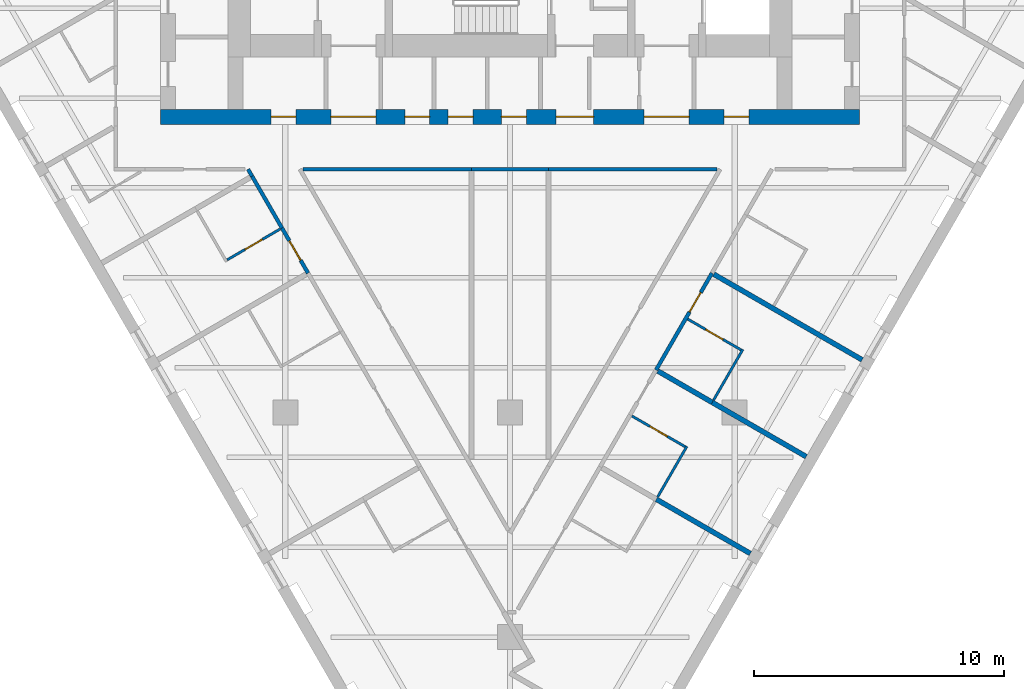
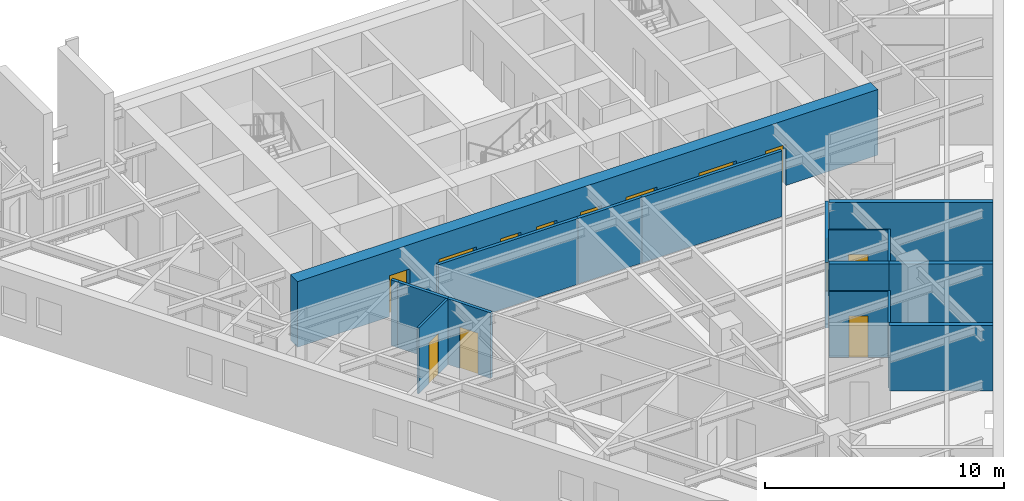
# One storey, part 4 of 10: 17 walls, 13 doors, 13 openings.
"""IFC4 building model written with IfcOpenShell, lengths in metres."""

from ifc_helpers import new_model, si_unit, direction, frame, frame_2d, origin, place, context, subcontext, project, spatial, rectangle, extrude, material, layer, layer_set, type_object, element, fill, save


model = new_model("IFC4")

# Units and contexts
model_context = context("Model", 3, precision=1e-05, world=origin(), true_north=direction((0.0, 1.0)))
body_context = subcontext(model_context, "Body", "Model", "MODEL_VIEW")
ifc_project = project(units=[si_unit("LENGTHUNIT", "METRE"), si_unit("AREAUNIT", "SQUARE_METRE"), si_unit("VOLUMEUNIT", "CUBIC_METRE"), si_unit("PLANEANGLEUNIT", "RADIAN"), si_unit("MASSUNIT", "GRAM", prefix="KILO")], contexts=[model_context])

# Site, building, storey
site_placement = place(None, origin())
site = spatial("IfcSite", under=ifc_project, at=site_placement, CompositionType="ELEMENT")
building_placement = place(site_placement, origin())
building = spatial("IfcBuilding", under=site, at=building_placement, Name="Aloe Facet Convention Tower", CompositionType="ELEMENT")
storey_placement = place(building_placement, frame((0.0, 0.0, 45.5)))
storey = spatial("IfcBuildingStorey", under=building, at=storey_placement, Name="L09", CompositionType="ELEMENT", Elevation=45.5)

# Wall, openings, doors
ifc_material_1 = material(Name="Concrete C80/95", Category="concrete")
ifc_layer_1 = layer(ifc_material_1, 0.60009765625)
ifc_layer_set_1 = layer_set([ifc_layer_1], Name="CR-W-RC600-C8095")
wall_type_1 = type_object("IfcWallType", Name="CR-W-RC600-C8095", PredefinedType="SOLIDWALL", material=ifc_layer_set_1)
wall_1_placement = place(storey_placement, frame((66.0, 119.85009765625, 0.0), z_axis=(0.0, 0.0, 1.0), x_axis=(1.0, 0.0, 0.0)))
wall_1 = element("IfcWall", 1, at=wall_1_placement, inside=storey, type_object=wall_type_1, Name="Core wall L09-003", PredefinedType="SOLIDWALL", context=body_context, shape_type="SweptSolid", body=[
    extrude(rectangle(XDim=28.0, YDim=0.60009765625, at=frame_2d((14.0, 0.0))), origin(), (0.0, 0.0, 1.0), 3.35009765625),
])
opening_1_placement = place(wall_1_placement, frame((6.824951171875, 0.0, 0.0)))
opening_1 = element("IfcOpeningElement", 2, at=opening_1_placement, cuts=wall_1, Name="Opening L09-CD16", PredefinedType="OPENING", context=body_context, shape_type="SweptSolid", body=[
    extrude(rectangle(XDim=1.800048828125, YDim=2.10009765625, at=frame_2d((0.89990234375, 1.050048828125))), frame((0.0, 0.31005859375, 0.0), z_axis=(0.0, -1.0, 0.0), x_axis=(1.0, 0.0, 0.0)), (0.0, 0.0, 1.0), 0.6201171875),
])
opening_2_placement = place(wall_1_placement, frame((15.85009765625, 0.0, 0.0)))
opening_2 = element("IfcOpeningElement", 3, at=opening_2_placement, cuts=wall_1, Name="Opening L09-CD17", PredefinedType="OPENING", context=body_context, shape_type="SweptSolid", body=[
    extrude(rectangle(XDim=1.5, YDim=2.10009765625, at=frame_2d((0.75, 1.050048828125))), frame((0.0, 0.31005859375, 0.0), z_axis=(0.0, -1.0, 0.0), x_axis=(1.0, 0.0, 0.0)), (0.0, 0.0, 1.0), 0.6201171875),
])
opening_3_placement = place(wall_1_placement, frame((19.375, 0.0, 0.0)))
opening_3 = element("IfcOpeningElement", 4, at=opening_3_placement, cuts=wall_1, Name="Opening L09-CD18", PredefinedType="OPENING", context=body_context, shape_type="SweptSolid", body=[
    extrude(rectangle(XDim=1.800048828125, YDim=2.10009765625, at=frame_2d((0.89990234375, 1.050048828125))), frame((0.0, 0.31005859375, 0.0), z_axis=(0.0, -1.0, 0.0), x_axis=(1.0, 0.0, 0.0)), (0.0, 0.0, 1.0), 0.6201171875),
])
opening_4_placement = place(wall_1_placement, frame((4.425048828125, 0.0, 0.0)))
opening_4 = element("IfcOpeningElement", 5, at=opening_4_placement, cuts=wall_1, Name="Opening L09-CD23", PredefinedType="OPENING", context=body_context, shape_type="SweptSolid", body=[
    extrude(rectangle(XDim=1.0, YDim=2.10009765625, at=frame_2d((0.5, 1.050048828125))), frame((0.0, 0.31005859375, 0.0), z_axis=(0.0, -1.0, 0.0), x_axis=(1.0, 0.0, 0.0)), (0.0, 0.0, 1.0), 0.6201171875),
])
opening_5_placement = place(wall_1_placement, frame((9.783203125, 0.0, 0.0)))
opening_5 = element("IfcOpeningElement", 6, at=opening_5_placement, cuts=wall_1, Name="Opening L09-CD24", PredefinedType="OPENING", context=body_context, shape_type="SweptSolid", body=[
    extrude(rectangle(XDim=1.0, YDim=2.10009765625, at=frame_2d((0.5, 1.050048828125))), frame((0.0, 0.31005859375, 0.0), z_axis=(0.0, -1.0, 0.0), x_axis=(1.0, 0.0, 0.0)), (0.0, 0.0, 1.0), 0.6201171875),
])
opening_6_placement = place(wall_1_placement, frame((11.52490234375, 0.0, 0.0)))
opening_6 = element("IfcOpeningElement", 7, at=opening_6_placement, cuts=wall_1, Name="Opening L09-CD25", PredefinedType="OPENING", context=body_context, shape_type="SweptSolid", body=[
    extrude(rectangle(XDim=1.0, YDim=2.10009765625, at=frame_2d((0.5, 1.050048828125))), frame((0.0, 0.31005859375, 0.0), z_axis=(0.0, -1.0, 0.0), x_axis=(1.0, 0.0, 0.0)), (0.0, 0.0, 1.0), 0.6201171875),
])
opening_7_placement = place(wall_1_placement, frame((13.658203125, 0.0, 0.0)))
opening_7 = element("IfcOpeningElement", 8, at=opening_7_placement, cuts=wall_1, Name="Opening L09-CD26", PredefinedType="OPENING", context=body_context, shape_type="SweptSolid", body=[
    extrude(rectangle(XDim=1.0, YDim=2.10009765625, at=frame_2d((0.5, 1.050048828125))), frame((0.0, 0.31005859375, 0.0), z_axis=(0.0, -1.0, 0.0), x_axis=(1.0, 0.0, 0.0)), (0.0, 0.0, 1.0), 0.6201171875),
])
opening_8_placement = place(wall_1_placement, frame((22.574951171875, 0.0, 0.0)))
opening_8 = element("IfcOpeningElement", 9, at=opening_8_placement, cuts=wall_1, Name="Opening L09-CD28", PredefinedType="OPENING", context=body_context, shape_type="SweptSolid", body=[
    extrude(rectangle(XDim=1.0, YDim=2.10009765625, at=frame_2d((0.5, 1.050048828125))), frame((0.0, 0.31005859375, 0.0), z_axis=(0.0, -1.0, 0.0), x_axis=(1.0, 0.0, 0.0)), (0.0, 0.0, 1.0), 0.6201171875),
])
ifc_material_2 = material(Name="Steel fire-resisting door set FD60", Category="steel")
door_type_1 = type_object("IfcDoorType", Name="CR-D-EXIT-1500-FD60-DD", OperationType="DOUBLE_DOOR_DOUBLE_SWING", PredefinedType="DOOR", material=ifc_material_2)
door_1_placement = place(opening_2_placement, origin())
door_1 = element("IfcDoor", 10, at=door_1_placement, inside=storey, type_object=door_type_1, Name="Core door L09-CD17", OperationType="DOUBLE_DOOR_DOUBLE_SWING", OverallHeight=2.10009765625, OverallWidth=1.5, PredefinedType="DOOR", context=body_context, shape_type="SweptSolid", body=[
    extrude(rectangle(XDim=1.5, YDim=2.10009765625, at=frame_2d((0.75, 1.050048828125))), frame((0.0, 0.02490234375, 0.0), z_axis=(0.0, -1.0, 0.0), x_axis=(1.0, 0.0, 0.0)), (0.0, 0.0, 1.0), 0.050048828125),
])
fill(opening_2, door_1)
ifc_material_3 = material(Name="Steel fire-resisting door set FD60", Category="steel")
door_type_2 = type_object("IfcDoorType", Name="CR-D-EXIT-1800-FD60-DD", OperationType="DOUBLE_DOOR_DOUBLE_SWING", PredefinedType="DOOR", material=ifc_material_3)
door_2_placement = place(opening_1_placement, origin())
door_2 = element("IfcDoor", 11, at=door_2_placement, inside=storey, type_object=door_type_2, Name="Core door L09-CD16", OperationType="DOUBLE_DOOR_DOUBLE_SWING", OverallHeight=2.10009765625, OverallWidth=1.800048828125, PredefinedType="DOOR", context=body_context, shape_type="SweptSolid", body=[
    extrude(rectangle(XDim=1.800048828125, YDim=2.10009765625, at=frame_2d((0.89990234375, 1.050048828125))), frame((0.0, 0.02490234375, 0.0), z_axis=(0.0, -1.0, 0.0), x_axis=(1.0, 0.0, 0.0)), (0.0, 0.0, 1.0), 0.050048828125),
])
fill(opening_1, door_2)
door_3_placement = place(opening_3_placement, origin())
door_3 = element("IfcDoor", 12, at=door_3_placement, inside=storey, type_object=door_type_2, Name="Core door L09-CD18", OperationType="DOUBLE_DOOR_DOUBLE_SWING", OverallHeight=2.10009765625, OverallWidth=1.800048828125, PredefinedType="DOOR", context=body_context, shape_type="SweptSolid", body=[
    extrude(rectangle(XDim=1.800048828125, YDim=2.10009765625, at=frame_2d((0.89990234375, 1.050048828125))), frame((0.0, 0.02490234375, 0.0), z_axis=(0.0, -1.0, 0.0), x_axis=(1.0, 0.0, 0.0)), (0.0, 0.0, 1.0), 0.050048828125),
])
fill(opening_3, door_3)
ifc_material_4 = material(Name="Steel fire-resisting door set FD60", Category="steel")
door_type_3 = type_object("IfcDoorType", Name="CR-D-ROOM-1000-FD60-SRIGHT", OperationType="SINGLE_SWING_RIGHT", PredefinedType="DOOR", material=ifc_material_4)
door_4_placement = place(opening_4_placement, origin())
door_4 = element("IfcDoor", 13, at=door_4_placement, inside=storey, type_object=door_type_3, Name="Core door L09-CD23", OperationType="SINGLE_SWING_RIGHT", OverallHeight=2.10009765625, OverallWidth=1.0, PredefinedType="DOOR", context=body_context, shape_type="SweptSolid", body=[
    extrude(rectangle(XDim=1.0, YDim=2.10009765625, at=frame_2d((0.5, 1.050048828125))), frame((0.0, 0.02490234375, 0.0), z_axis=(0.0, -1.0, 0.0), x_axis=(1.0, 0.0, 0.0)), (0.0, 0.0, 1.0), 0.050048828125),
])
fill(opening_4, door_4)
door_5_placement = place(opening_5_placement, origin())
door_5 = element("IfcDoor", 14, at=door_5_placement, inside=storey, type_object=door_type_3, Name="Core door L09-CD24", OperationType="SINGLE_SWING_RIGHT", OverallHeight=2.10009765625, OverallWidth=1.0, PredefinedType="DOOR", context=body_context, shape_type="SweptSolid", body=[
    extrude(rectangle(XDim=1.0, YDim=2.10009765625, at=frame_2d((0.5, 1.050048828125))), frame((0.0, 0.02490234375, 0.0), z_axis=(0.0, -1.0, 0.0), x_axis=(1.0, 0.0, 0.0)), (0.0, 0.0, 1.0), 0.050048828125),
])
fill(opening_5, door_5)
door_6_placement = place(opening_6_placement, origin())
door_6 = element("IfcDoor", 15, at=door_6_placement, inside=storey, type_object=door_type_3, Name="Core door L09-CD25", OperationType="SINGLE_SWING_RIGHT", OverallHeight=2.10009765625, OverallWidth=1.0, PredefinedType="DOOR", context=body_context, shape_type="SweptSolid", body=[
    extrude(rectangle(XDim=1.0, YDim=2.10009765625, at=frame_2d((0.5, 1.050048828125))), frame((0.0, 0.02490234375, 0.0), z_axis=(0.0, -1.0, 0.0), x_axis=(1.0, 0.0, 0.0)), (0.0, 0.0, 1.0), 0.050048828125),
])
fill(opening_6, door_6)
door_7_placement = place(opening_7_placement, origin())
door_7 = element("IfcDoor", 16, at=door_7_placement, inside=storey, type_object=door_type_3, Name="Core door L09-CD26", OperationType="SINGLE_SWING_RIGHT", OverallHeight=2.10009765625, OverallWidth=1.0, PredefinedType="DOOR", context=body_context, shape_type="SweptSolid", body=[
    extrude(rectangle(XDim=1.0, YDim=2.10009765625, at=frame_2d((0.5, 1.050048828125))), frame((0.0, 0.02490234375, 0.0), z_axis=(0.0, -1.0, 0.0), x_axis=(1.0, 0.0, 0.0)), (0.0, 0.0, 1.0), 0.050048828125),
])
fill(opening_7, door_7)
door_8_placement = place(opening_8_placement, origin())
door_8 = element("IfcDoor", 17, at=door_8_placement, inside=storey, type_object=door_type_3, Name="Core door L09-CD28", OperationType="SINGLE_SWING_RIGHT", OverallHeight=2.10009765625, OverallWidth=1.0, PredefinedType="DOOR", context=body_context, shape_type="SweptSolid", body=[
    extrude(rectangle(XDim=1.0, YDim=2.10009765625, at=frame_2d((0.5, 1.050048828125))), frame((0.0, 0.02490234375, 0.0), z_axis=(0.0, -1.0, 0.0), x_axis=(1.0, 0.0, 0.0)), (0.0, 0.0, 1.0), 0.050048828125),
])
fill(opening_8, door_8)

# Wall, opening, door
ifc_material_5 = material(Name="Gypsum board partition on steel studs", Category="steel")
ifc_layer_2 = layer(ifc_material_5, 0.14990234375)
ifc_layer_set_2 = layer_set([ifc_layer_2], Name="IN-W-CORR")
wall_type_2 = type_object("IfcWallType", Name="IN-W-CORR", PredefinedType="PARTITIONING", material=ifc_layer_set_2)
wall_2_placement = place(storey_placement, frame((70.863525390625, 115.395263671875, 0.0), z_axis=(0.0, 0.0, 1.0), x_axis=(0.500046000743, -0.865998843614, 0.0)))
wall_2 = element("IfcWall", 18, at=wall_2_placement, inside=storey, type_object=wall_type_2, Name="Partition L09-W048", PredefinedType="PARTITIONING", context=body_context, shape_type="SweptSolid", body=[
    extrude(rectangle(XDim=2.090087890625, YDim=0.14990234375, at=frame_2d((1.044921875, 0.0))), origin(), (0.0, 0.0, 1.0), 3.35009765625),
])
opening_9_placement = place(wall_2_placement, frame((0.594970703125, 0.0, 0.0)))
opening_9 = element("IfcOpeningElement", 19, at=opening_9_placement, cuts=wall_2, Name="Opening L09-005", PredefinedType="OPENING", context=body_context, shape_type="SweptSolid", body=[
    extrude(rectangle(XDim=0.89990234375, YDim=2.10009765625, at=frame_2d((0.449951171875, 1.050048828125))), frame((0.0, 0.0849609375, 0.0), z_axis=(0.0, -1.0, 0.0), x_axis=(1.0, 0.0, 0.0)), (0.0, 0.0, 1.0), 0.169921875),
])
ifc_material_6 = material(Name="Hardwood flush door FD30S", Category="wood")
door_type_4 = type_object("IfcDoorType", Name="IN-D-GUEST", OperationType="SINGLE_SWING_LEFT", PredefinedType="DOOR", material=ifc_material_6)
door_9_placement = place(opening_9_placement, origin())
door_9 = element("IfcDoor", 20, at=door_9_placement, inside=storey, type_object=door_type_4, Name="Door L09-005", OperationType="SINGLE_SWING_LEFT", OverallHeight=2.10009765625, OverallWidth=0.89990234375, PredefinedType="DOOR", context=body_context, shape_type="SweptSolid", body=[
    extrude(rectangle(XDim=0.89990234375, YDim=2.10009765625, at=frame_2d((0.449951171875, 1.050048828125))), frame((0.0, 0.02490234375, 0.0), z_axis=(0.0, -1.0, 0.0), x_axis=(1.0, 0.0, 0.0)), (0.0, 0.0, 1.0), 0.050048828125),
])
fill(opening_9, door_9)

wall_3_placement = place(storey_placement, frame((85.851318359375, 109.70556640625, 0.0), z_axis=(0.0, 0.0, 1.0), x_axis=(0.500013360201, 0.866017690131, 0.0)))
wall_3 = element("IfcWall", 21, at=wall_3_placement, inside=storey, type_object=wall_type_2, Name="Partition L09-W049", PredefinedType="PARTITIONING", context=body_context, shape_type="SweptSolid", body=[
    extrude(rectangle(XDim=4.47998046875, YDim=0.14990234375, at=frame_2d((2.239990234375, 0.0))), origin(), (0.0, 0.0, 1.0), 3.35009765625),
])
opening_10_placement = place(wall_3_placement, frame((2.68408203125, 0.0, 0.0)))
opening_10 = element("IfcOpeningElement", 22, at=opening_10_placement, cuts=wall_3, Name="Opening L09-010", PredefinedType="OPENING", context=body_context, shape_type="SweptSolid", body=[
    extrude(rectangle(XDim=0.89990234375, YDim=2.10009765625, at=frame_2d((0.449951171875, 1.050048828125))), frame((0.0, 0.0849609375, 0.0), z_axis=(0.0, -1.0, 0.0), x_axis=(1.0, 0.0, 0.0)), (0.0, 0.0, 1.0), 0.169921875),
])
door_10_placement = place(opening_10_placement, origin())
door_10 = element("IfcDoor", 23, at=door_10_placement, inside=storey, type_object=door_type_4, Name="Door L09-010", OperationType="SINGLE_SWING_LEFT", OverallHeight=2.10009765625, OverallWidth=0.89990234375, PredefinedType="DOOR", context=body_context, shape_type="SweptSolid", body=[
    extrude(rectangle(XDim=0.89990234375, YDim=2.10009765625, at=frame_2d((0.449951171875, 1.050048828125))), frame((0.0, 0.02490234375, 0.0), z_axis=(0.0, -1.0, 0.0), x_axis=(1.0, 0.0, 0.0)), (0.0, 0.0, 1.0), 0.050048828125),
])
fill(opening_10, door_10)

# Walls
wall_4_placement = place(storey_placement, frame((69.668701171875, 117.465087890625, 0.0), z_axis=(0.0, 0.0, 1.0), x_axis=(0.499940577336, -0.866059708757, 0.0)))
element("IfcWall", 24, at=wall_4_placement, inside=storey, type_object=wall_type_2, Name="Partition L09-W059", PredefinedType="PARTITIONING", context=body_context, shape_type="SweptSolid", body=[
    extrude(rectangle(XDim=2.389892578125, YDim=0.14990234375, at=frame_2d((1.19482421875, 0.0))), origin(), (0.0, 0.0, 1.0), 3.35009765625),
])
wall_5_placement = place(storey_placement, frame((69.504150390625, 117.75, 0.0), z_axis=(0.0, 0.0, 1.0), x_axis=(0.500129239174, -0.865950774653, 0.0)))
element("IfcWall", 25, at=wall_5_placement, inside=storey, type_object=wall_type_2, Name="Partition L09-W060", PredefinedType="PARTITIONING", context=body_context, shape_type="SweptSolid", body=[
    extrude(rectangle(XDim=0.3291015625, YDim=0.14990234375, at=frame_2d((0.16455078125, 0.0))), origin(), (0.0, 0.0, 1.0), 3.35009765625),
])
wall_6_placement = place(storey_placement, frame((71.71240234375, 117.75, 0.0), z_axis=(0.0, 0.0, 1.0), x_axis=(1.0, 0.0, 0.0)))
element("IfcWall", 26, at=wall_6_placement, inside=storey, type_object=wall_type_2, Name="Partition L09-W064", PredefinedType="PARTITIONING", context=body_context, shape_type="SweptSolid", body=[
    extrude(rectangle(XDim=6.74267578125, YDim=0.14990234375, at=frame_2d((3.371337890625, 0.0))), origin(), (0.0, 0.0, 1.0), 3.35009765625),
])
wall_7_placement = place(storey_placement, frame((78.455078125, 117.75, 0.0), z_axis=(0.0, 0.0, 1.0), x_axis=(1.0, 0.0, 0.0)))
element("IfcWall", 27, at=wall_7_placement, inside=storey, type_object=wall_type_2, Name="Partition L09-W065", PredefinedType="PARTITIONING", context=body_context, shape_type="SweptSolid", body=[
    extrude(rectangle(XDim=3.08984375, YDim=0.14990234375, at=frame_2d((1.544921875, 0.0))), origin(), (0.0, 0.0, 1.0), 3.35009765625),
])
wall_8_placement = place(storey_placement, frame((81.544921875, 117.75, 0.0), z_axis=(0.0, 0.0, 1.0), x_axis=(1.0, 0.0, 0.0)))
element("IfcWall", 28, at=wall_8_placement, inside=storey, type_object=wall_type_2, Name="Partition L09-W066", PredefinedType="PARTITIONING", context=body_context, shape_type="SweptSolid", body=[
    extrude(rectangle(XDim=6.74267578125, YDim=0.14990234375, at=frame_2d((3.371337890625, 0.0))), origin(), (0.0, 0.0, 1.0), 3.35009765625),
])
ifc_material_7 = material(Name="Gypsum board partition on steel studs", Category="steel")
ifc_layer_3 = layer(ifc_material_7, 0.10009765625)
ifc_layer_set_3 = layer_set([ifc_layer_3], Name="IN-W-PART")
wall_type_3 = type_object("IfcWallType", Name="IN-W-PART", PredefinedType="PARTITIONING", material=ifc_layer_set_3)
wall_9_placement = place(storey_placement, frame((85.91796875, 104.620849609375, 0.0), z_axis=(0.0, 0.0, 1.0), x_axis=(0.500032503492, 0.866006637072, 0.0)))
element("IfcWall", 29, at=wall_9_placement, inside=storey, type_object=wall_type_3, Name="Partition L09-W030", PredefinedType="PARTITIONING", context=body_context, shape_type="SweptSolid", body=[
    extrude(rectangle(XDim=2.340087890625, YDim=0.10009765625, at=frame_2d((1.169921875, 0.0))), origin(), (0.0, 0.0, 1.0), 3.35009765625),
])

# Wall, opening, door
wall_10_placement = place(storey_placement, frame((84.885009765625, 107.861572265625, 0.0), z_axis=(0.0, 0.0, 1.0), x_axis=(0.866040446274, -0.499973944738, 0.0)))
wall_10 = element("IfcWall", 30, at=wall_10_placement, inside=storey, type_object=wall_type_3, Name="Partition L09-W031", PredefinedType="PARTITIONING", context=body_context, shape_type="SweptSolid", body=[
    extrude(rectangle(XDim=2.465087890625, YDim=0.10009765625, at=frame_2d((1.232421875, 0.0))), origin(), (0.0, 0.0, 1.0), 3.35009765625),
])
opening_11_placement = place(wall_10_placement, frame((0.83251953125, 0.0, 0.0)))
opening_11 = element("IfcOpeningElement", 31, at=opening_11_placement, cuts=wall_10, Name="Opening L09-024", PredefinedType="OPENING", context=body_context, shape_type="SweptSolid", body=[
    extrude(rectangle(XDim=0.800048828125, YDim=2.10009765625, at=frame_2d((0.39990234375, 1.050048828125))), frame((0.0, 0.06005859375, 0.0), z_axis=(0.0, -1.0, 0.0), x_axis=(1.0, 0.0, 0.0)), (0.0, 0.0, 1.0), 0.1201171875),
])
ifc_material_8 = material(Name="Timber flush door", Category="wood")
door_type_5 = type_object("IfcDoorType", Name="IN-D-BATH", OperationType="SINGLE_SWING_LEFT", PredefinedType="DOOR", material=ifc_material_8)
door_11_placement = place(opening_11_placement, origin())
door_11 = element("IfcDoor", 32, at=door_11_placement, inside=storey, type_object=door_type_5, Name="Door L09-024", OperationType="SINGLE_SWING_LEFT", OverallHeight=2.10009765625, OverallWidth=0.800048828125, PredefinedType="DOOR", context=body_context, shape_type="SweptSolid", body=[
    extrude(rectangle(XDim=0.800048828125, YDim=2.10009765625, at=frame_2d((0.39990234375, 1.050048828125))), frame((0.0, 0.02490234375, 0.0), z_axis=(0.0, -1.0, 0.0), x_axis=(1.0, 0.0, 0.0)), (0.0, 0.0, 1.0), 0.050048828125),
])
fill(opening_11, door_11)

# Wall
wall_11_placement = place(storey_placement, frame((88.157958984375, 108.500732421875, 0.0), z_axis=(0.0, 0.0, 1.0), x_axis=(0.500032503492, 0.866006637072, 0.0)))
element("IfcWall", 33, at=wall_11_placement, inside=storey, type_object=wall_type_3, Name="Partition L09-W039", PredefinedType="PARTITIONING", context=body_context, shape_type="SweptSolid", body=[
    extrude(rectangle(XDim=2.340087890625, YDim=0.10009765625, at=frame_2d((1.169921875, 0.0))), origin(), (0.0, 0.0, 1.0), 3.35009765625),
])

# Wall, opening, door
wall_12_placement = place(storey_placement, frame((87.116455078125, 111.746337890625, 0.0), z_axis=(0.0, 0.0, 1.0), x_axis=(0.86604923931, -0.499958713387, 0.0)))
wall_12 = element("IfcWall", 34, at=wall_12_placement, inside=storey, type_object=wall_type_3, Name="Partition L09-W041", PredefinedType="PARTITIONING", context=body_context, shape_type="SweptSolid", body=[
    extrude(rectangle(XDim=2.474853515625, YDim=0.10009765625, at=frame_2d((1.2373046875, 0.0))), origin(), (0.0, 0.0, 1.0), 3.35009765625),
])
opening_12_placement = place(wall_12_placement, frame((0.83740234375, 0.0, 0.0)))
opening_12 = element("IfcOpeningElement", 35, at=opening_12_placement, cuts=wall_12, Name="Opening L09-025", PredefinedType="OPENING", context=body_context, shape_type="SweptSolid", body=[
    extrude(rectangle(XDim=0.800048828125, YDim=2.10009765625, at=frame_2d((0.39990234375, 1.050048828125))), frame((0.0, 0.06005859375, 0.0), z_axis=(0.0, -1.0, 0.0), x_axis=(1.0, 0.0, 0.0)), (0.0, 0.0, 1.0), 0.1201171875),
])
door_12_placement = place(opening_12_placement, origin())
door_12 = element("IfcDoor", 36, at=door_12_placement, inside=storey, type_object=door_type_5, Name="Door L09-025", OperationType="SINGLE_SWING_LEFT", OverallHeight=2.10009765625, OverallWidth=0.800048828125, PredefinedType="DOOR", context=body_context, shape_type="SweptSolid", body=[
    extrude(rectangle(XDim=0.800048828125, YDim=2.10009765625, at=frame_2d((0.39990234375, 1.050048828125))), frame((0.0, 0.02490234375, 0.0), z_axis=(0.0, -1.0, 0.0), x_axis=(1.0, 0.0, 0.0)), (0.0, 0.0, 1.0), 0.050048828125),
])
fill(opening_12, door_12)

wall_13_placement = place(storey_placement, frame((68.668701171875, 114.11669921875, 0.0), z_axis=(0.0, 0.0, 1.0), x_axis=(0.864063696467, 0.503382487227, 0.0)))
wall_13 = element("IfcWall", 37, at=wall_13_placement, inside=storey, type_object=wall_type_3, Name="Partition L09-W055", PredefinedType="PARTITIONING", context=body_context, shape_type="SweptSolid", body=[
    extrude(rectangle(XDim=2.455078125, YDim=0.10009765625, at=frame_2d((1.2275390625, 0.0))), origin(), (0.0, 0.0, 1.0), 3.35009765625),
])
opening_13_placement = place(wall_13_placement, frame((0.827392578125, 0.0, 0.0)))
opening_13 = element("IfcOpeningElement", 38, at=opening_13_placement, cuts=wall_13, Name="Opening L09-020", PredefinedType="OPENING", context=body_context, shape_type="SweptSolid", body=[
    extrude(rectangle(XDim=0.800048828125, YDim=2.10009765625, at=frame_2d((0.39990234375, 1.050048828125))), frame((0.0, 0.06005859375, 0.0), z_axis=(0.0, -1.0, 0.0), x_axis=(1.0, 0.0, 0.0)), (0.0, 0.0, 1.0), 0.1201171875),
])
door_13_placement = place(opening_13_placement, origin())
door_13 = element("IfcDoor", 39, at=door_13_placement, inside=storey, type_object=door_type_5, Name="Door L09-020", OperationType="SINGLE_SWING_LEFT", OverallHeight=2.10009765625, OverallWidth=0.800048828125, PredefinedType="DOOR", context=body_context, shape_type="SweptSolid", body=[
    extrude(rectangle(XDim=0.800048828125, YDim=2.10009765625, at=frame_2d((0.39990234375, 1.050048828125))), frame((0.0, 0.02490234375, 0.0), z_axis=(0.0, -1.0, 0.0), x_axis=(1.0, 0.0, 0.0)), (0.0, 0.0, 1.0), 0.050048828125),
])
fill(opening_13, door_13)

# Walls
ifc_material_9 = material(Name="Gypsum board partition on steel studs", Category="steel")
ifc_layer_4 = layer(ifc_material_9, 0.199951171875)
ifc_layer_set_4 = layer_set([ifc_layer_4], Name="IN-W-PARTY")
wall_type_4 = type_object("IfcWallType", Name="IN-W-PARTY", PredefinedType="PARTITIONING", material=ifc_layer_set_4)
for number, where, z_axis, x_axis, name in (
    (40, (85.863037109375, 104.525634765625, 0.0), (0.0, 0.0, 1.0), (0.866027639635, -0.499996127374, 0.0), "Partition L09-W007"),
    (41, (88.10302734375, 108.405517578125, 0.0), (0.0, 0.0, 1.0), (0.866027639635, -0.499996127374, 0.0), "Partition L09-W029"),
):
    element("IfcWall", number, at=place(storey_placement, frame(where, z_axis=z_axis, x_axis=x_axis)), inside=storey, type_object=wall_type_4, Name=name, PredefinedType="PARTITIONING", context=body_context, shape_type="SweptSolid", body=[
        extrude(rectangle(XDim=4.35009765625, YDim=0.199951171875, at=frame_2d((2.175048828125, 0.0))), origin(), (0.0, 0.0, 1.0), 3.35009765625),
    ])
wall_14_placement = place(storey_placement, frame((85.925048828125, 109.6630859375, 0.0), z_axis=(0.0, 0.0, 1.0), x_axis=(0.866006140796, -0.500033362991, 0.0)))
element("IfcWall", 42, at=wall_14_placement, inside=storey, type_object=wall_type_4, Name="Partition L09-W032", PredefinedType="PARTITIONING", context=body_context, shape_type="SweptSolid", body=[
    extrude(rectangle(XDim=2.514892578125, YDim=0.199951171875, at=frame_2d((1.25732421875, 0.0))), origin(), (0.0, 0.0, 1.0), 3.35009765625),
])
wall_15_placement = place(storey_placement, frame((88.1650390625, 113.542724609375, 0.0), z_axis=(0.0, 0.0, 1.0), x_axis=(0.86603516302, -0.499983096127, 0.0)))
element("IfcWall", 43, at=wall_15_placement, inside=storey, type_object=wall_type_4, Name="Partition L09-W038", PredefinedType="PARTITIONING", context=body_context, shape_type="SweptSolid", body=[
    extrude(rectangle(XDim=6.864990234375, YDim=0.199951171875, at=frame_2d((3.4326171875, 0.0))), origin(), (0.0, 0.0, 1.0), 3.35009765625),
])

save(model, "model.ifc")
